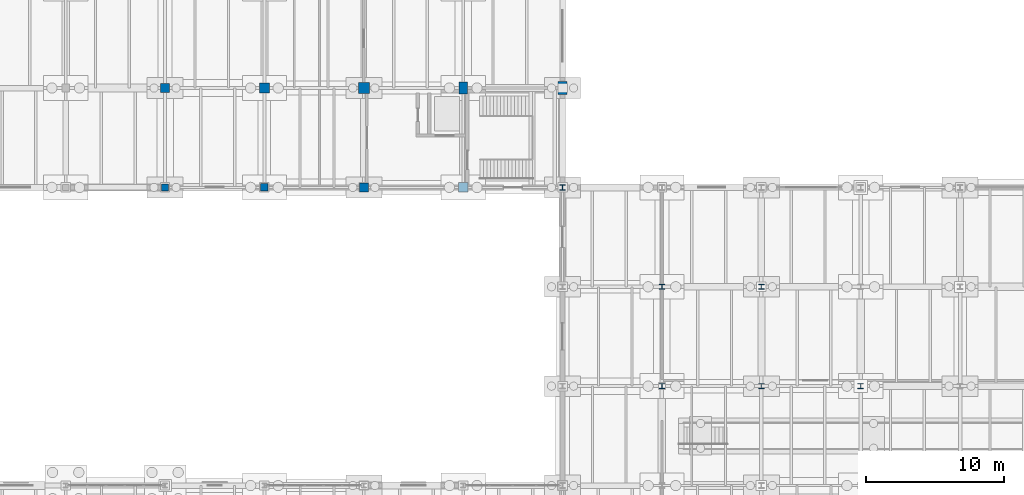
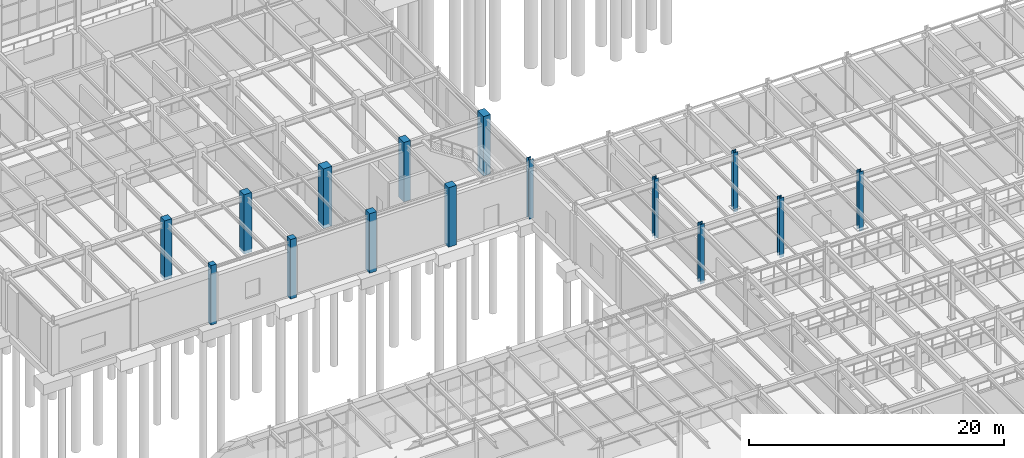
# One storey, part 28 of 293: 15 columns.
"""IFC4 building model written with IfcOpenShell, lengths in metres."""

from ifc_helpers import new_model, si_unit, direction, frame, origin, origin_2d, place, context, subcontext, project, spatial, rectangle, i_section, extrude, material, material_profile, profile_set, type_object, element, save


model = new_model("IFC4")

# Units and contexts
model_context = context("Model", 3, precision=1e-05, world=origin(), true_north=direction((0.0, 1.0)))
body_context = subcontext(model_context, "Body", "Model", "MODEL_VIEW")
ifc_project = project(units=[si_unit("LENGTHUNIT", "METRE"), si_unit("AREAUNIT", "SQUARE_METRE"), si_unit("VOLUMEUNIT", "CUBIC_METRE"), si_unit("PLANEANGLEUNIT", "RADIAN"), si_unit("MASSUNIT", "GRAM", prefix="KILO")], contexts=[model_context])

# Site, building, storey
site_placement = place(None, origin())
site = spatial("IfcSite", under=ifc_project, at=site_placement, CompositionType="ELEMENT")
building_placement = place(site_placement, origin())
building = spatial("IfcBuilding", under=site, at=building_placement, Name="Kemerveld Promenade Tramway Depot", CompositionType="ELEMENT")
storey_placement = place(building_placement, origin())
storey = spatial("IfcBuildingStorey", under=building, at=storey_placement, Name="L00", CompositionType="ELEMENT", Elevation=0.0)

# Columns
ifc_material_1 = material(Name="Concrete C40/50", Category="concrete")
ifc_material_profile_1 = material_profile(ifc_material_1, rectangle(XDim=0.800048828125, YDim=0.800048828125, at=origin_2d()), Name="RC-COL-800x800")
ifc_profile_set_1 = profile_set([ifc_material_profile_1], Name="Concrete C40/50")
column_type_1 = type_object("IfcColumnType", Name="COL-RC10", PredefinedType="COLUMN", material=ifc_profile_set_1)
column_1_placement = place(storey_placement, frame((144.0, 57.60009765625, -0.300048828125), z_axis=(0.0, 0.0, 1.0), x_axis=(1.0, 0.0, 0.0)))
element("IfcColumn", 1, at=column_1_placement, inside=storey, type_object=column_type_1, Name="COL-L00-21-J", PredefinedType="COLUMN", context=body_context, shape_type="SweptSolid", body=[
    extrude(rectangle(XDim=0.800048828125, YDim=0.800048828125, at=origin_2d()), origin(), (0.0, 0.0, 1.0), 5.699951171875),
])
ifc_material_profile_2 = material_profile(ifc_material_1, rectangle(XDim=0.60009765625, YDim=0.85009765625, at=origin_2d()), Name="RC-PIER-850x600")
ifc_profile_set_2 = profile_set([ifc_material_profile_2], Name="Concrete C40/50")
column_type_2 = type_object("IfcColumnType", Name="COL-RC11", PredefinedType="COLUMN", material=ifc_profile_set_2)
column_2_placement = place(storey_placement, frame((151.199951171875, 57.60009765625, -0.300048828125), z_axis=(0.0, 0.0, 1.0), x_axis=(1.0, 0.0, 0.0)))
element("IfcColumn", 2, at=column_2_placement, inside=storey, type_object=column_type_2, Name="COL-L00-22-J", PredefinedType="COLUMN", context=body_context, shape_type="SweptSolid", body=[
    extrude(rectangle(XDim=0.60009765625, YDim=0.85009765625, at=origin_2d()), origin(), (0.0, 0.0, 1.0), 5.699951171875),
])
ifc_material_profile_3 = material_profile(ifc_material_1, rectangle(XDim=0.64990234375, YDim=0.949951171875, at=origin_2d()), Name="RC-PIER-950x650")
ifc_profile_set_3 = profile_set([ifc_material_profile_3], Name="Concrete C40/50")
column_type_3 = type_object("IfcColumnType", Name="COL-RC12", PredefinedType="COLUMN", material=ifc_profile_set_3)
column_3_placement = place(storey_placement, frame((158.39990234375, 57.60009765625, -0.300048828125), z_axis=(0.0, 0.0, 1.0), x_axis=(1.0, 0.0, 0.0)))
element("IfcColumn", 3, at=column_3_placement, inside=storey, type_object=column_type_3, Name="COL-L00-23-J", PredefinedType="COLUMN", context=body_context, shape_type="SweptSolid", body=[
    extrude(rectangle(XDim=0.64990234375, YDim=0.949951171875, at=origin_2d()), origin(), (0.0, 0.0, 1.0), 5.699951171875),
])
ifc_material_profile_4 = material_profile(ifc_material_1, rectangle(XDim=0.5, YDim=0.5, at=origin_2d()), Name="RC-COL-500x500")
ifc_profile_set_4 = profile_set([ifc_material_profile_4], Name="Concrete C40/50")
column_type_4 = type_object("IfcColumnType", Name="COL-RC6", PredefinedType="COLUMN", material=ifc_profile_set_4)
column_4_placement = place(storey_placement, frame((129.60009765625, 50.39990234375, -0.300048828125), z_axis=(0.0, 0.0, 1.0), x_axis=(1.0, 0.0, 0.0)))
element("IfcColumn", 4, at=column_4_placement, inside=storey, type_object=column_type_4, Name="COL-L00-19-H", PredefinedType="COLUMN", context=body_context, shape_type="SweptSolid", body=[
    extrude(rectangle(XDim=0.5, YDim=0.5, at=origin_2d()), origin(), (0.0, 0.0, 1.0), 5.699951171875),
])
ifc_material_profile_5 = material_profile(ifc_material_1, rectangle(XDim=0.550048828125, YDim=0.550048828125, at=origin_2d()), Name="RC-COL-550x550")
ifc_profile_set_5 = profile_set([ifc_material_profile_5], Name="Concrete C40/50")
column_type_5 = type_object("IfcColumnType", Name="COL-RC7", PredefinedType="COLUMN", material=ifc_profile_set_5)
column_5_placement = place(storey_placement, frame((136.800048828125, 50.39990234375, -0.300048828125), z_axis=(0.0, 0.0, 1.0), x_axis=(1.0, 0.0, 0.0)))
element("IfcColumn", 5, at=column_5_placement, inside=storey, type_object=column_type_5, Name="COL-L00-20-H", PredefinedType="COLUMN", context=body_context, shape_type="SweptSolid", body=[
    extrude(rectangle(XDim=0.550048828125, YDim=0.550048828125, at=origin_2d()), origin(), (0.0, 0.0, 1.0), 5.699951171875),
])
ifc_material_profile_6 = material_profile(ifc_material_1, rectangle(XDim=0.64990234375, YDim=0.64990234375, at=origin_2d()), Name="RC-COL-650x650")
ifc_profile_set_6 = profile_set([ifc_material_profile_6], Name="Concrete C40/50")
column_type_6 = type_object("IfcColumnType", Name="COL-RC8", PredefinedType="COLUMN", material=ifc_profile_set_6)
for number, where, z_axis, x_axis, name in (
    (6, (129.60009765625, 57.60009765625, -0.300048828125), (0.0, 0.0, 1.0), (1.0, 0.0, 0.0), "COL-L00-19-J"),
    (7, (144.0, 50.39990234375, -0.300048828125), (0.0, 0.0, 1.0), (1.0, 0.0, 0.0), "COL-L00-21-H"),
):
    element("IfcColumn", number, at=place(storey_placement, frame(where, z_axis=z_axis, x_axis=x_axis)), inside=storey, type_object=column_type_6, Name=name, PredefinedType="COLUMN", context=body_context, shape_type="SweptSolid", body=[
        extrude(rectangle(XDim=0.64990234375, YDim=0.64990234375, at=origin_2d()), origin(), (0.0, 0.0, 1.0), 5.699951171875),
    ])
ifc_material_profile_7 = material_profile(ifc_material_1, rectangle(XDim=0.699951171875, YDim=0.699951171875, at=origin_2d()), Name="RC-COL-700x700")
ifc_profile_set_7 = profile_set([ifc_material_profile_7], Name="Concrete C40/50")
column_type_7 = type_object("IfcColumnType", Name="COL-RC9", PredefinedType="COLUMN", material=ifc_profile_set_7)
for number, where, z_axis, x_axis, name in (
    (8, (136.800048828125, 57.60009765625, -0.300048828125), (0.0, 0.0, 1.0), (1.0, 0.0, 0.0), "COL-L00-20-J"),
    (9, (151.199951171875, 50.39990234375, -0.300048828125), (0.0, 0.0, 1.0), (1.0, 0.0, 0.0), "COL-L00-22-H"),
):
    element("IfcColumn", number, at=place(storey_placement, frame(where, z_axis=z_axis, x_axis=x_axis)), inside=storey, type_object=column_type_7, Name=name, PredefinedType="COLUMN", context=body_context, shape_type="SweptSolid", body=[
        extrude(rectangle(XDim=0.699951171875, YDim=0.699951171875, at=origin_2d()), origin(), (0.0, 0.0, 1.0), 5.699951171875),
    ])
ifc_material_2 = material(Name="Steel S355", Category="steel")
ifc_material_profile_8 = material_profile(ifc_material_2, i_section(OverallWidth=0.394775390625, OverallDepth=0.381103515625, WebThickness=0.018310546875, FlangeThickness=0.0302734375, FilletRadius=0.01513671875, at=origin_2d()), Name="356x406x235 UC")
ifc_profile_set_8 = profile_set([ifc_material_profile_8], Name="Steel S355")
column_type_8 = type_object("IfcColumnType", Name="COL-S02", PredefinedType="COLUMN", material=ifc_profile_set_8)
for number, where, z_axis, x_axis, name in (
    (10, (158.39990234375, 50.39990234375, -0.300048828125), (0.0, 0.0, 1.0), (1.0, 0.0, 0.0), "COL-L00-23-H"),
    (11, (165.60009765625, 36.0, -0.300048828125), (0.0, 0.0, 1.0), (1.0, 0.0, 0.0), "COL-L00-24-F"),
    (12, (165.60009765625, 43.199951171875, -0.300048828125), (0.0, 0.0, 1.0), (1.0, 0.0, 0.0), "COL-L00-24-G"),
    (13, (172.800048828125, 36.0, -0.300048828125), (0.0, 0.0, 1.0), (1.0, 0.0, 0.0), "COL-L00-25-F"),
    (14, (172.800048828125, 43.199951171875, -0.300048828125), (0.0, 0.0, 1.0), (1.0, 0.0, 0.0), "COL-L00-25-G"),
    (15, (180.0, 36.0, -0.300048828125), (0.0, 0.0, 1.0), (1.0, 0.0, 0.0), "COL-L00-26-F"),
):
    element("IfcColumn", number, at=place(storey_placement, frame(where, z_axis=z_axis, x_axis=x_axis)), inside=storey, type_object=column_type_8, Name=name, PredefinedType="COLUMN", context=body_context, shape_type="SweptSolid", body=[
        extrude(i_section(OverallWidth=0.394775390625, OverallDepth=0.381103515625, WebThickness=0.018310546875, FlangeThickness=0.0302734375, FilletRadius=0.01513671875, at=origin_2d()), origin(), (0.0, 0.0, 1.0), 5.699951171875),
    ])

save(model, "model.ifc")
